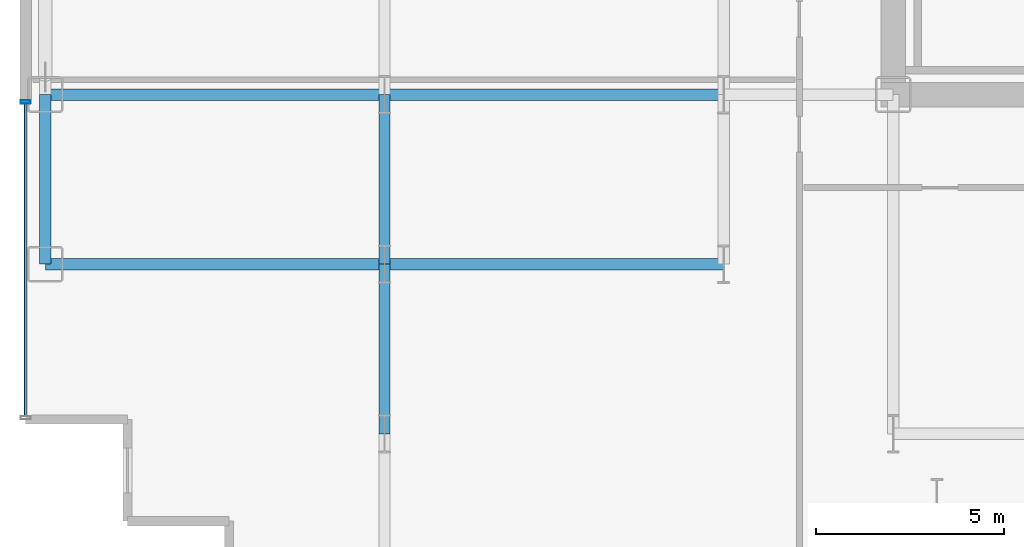
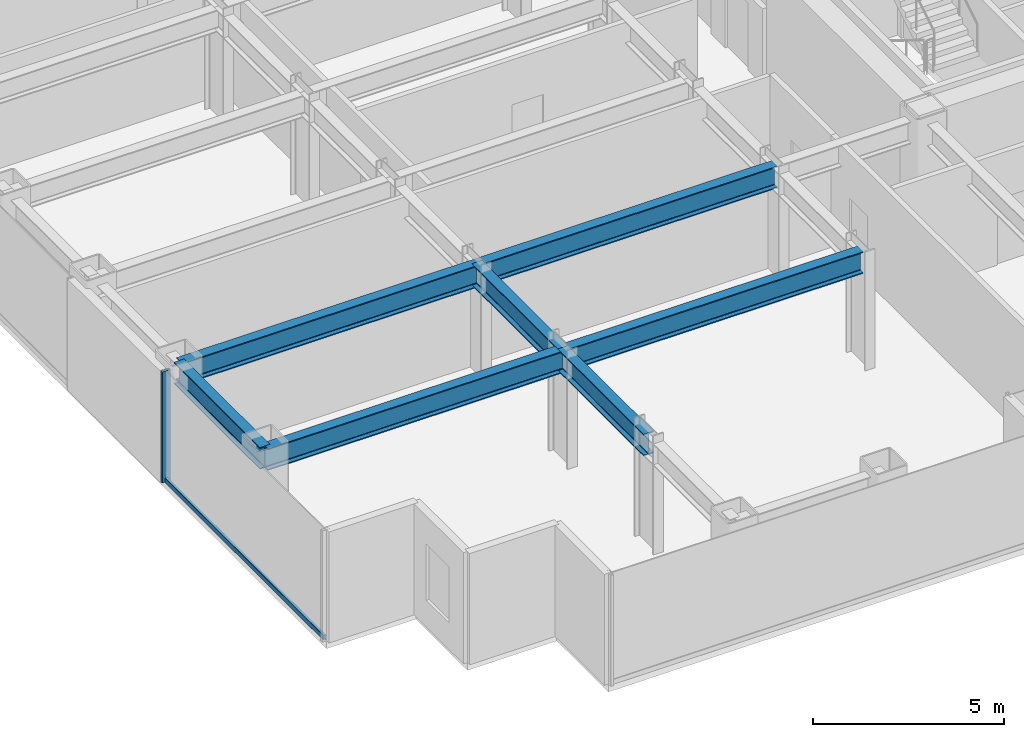
# One storey, part 3 of 29: 7 beams, 2 members, 1 element without a shape of its own.
"""IFC4 building model written with IfcOpenShell, lengths in metres."""

from ifc_helpers import new_model, si_unit, direction, frame, origin, origin_2d, place, context, subcontext, project, spatial, hollow_rectangle, i_section, extrude, source, transform, mapped, material, layer, layer_set, material_profile, profile_set, type_object, element, aggregate, save


model = new_model("IFC4")

# Units and contexts
model_context = context("Model", 3, precision=1e-05, world=origin(), true_north=direction((0.0, 1.0)))
body_context = subcontext(model_context, "Body", "Model", "MODEL_VIEW")
ifc_project = project(units=[si_unit("LENGTHUNIT", "METRE"), si_unit("AREAUNIT", "SQUARE_METRE"), si_unit("VOLUMEUNIT", "CUBIC_METRE"), si_unit("PLANEANGLEUNIT", "RADIAN"), si_unit("MASSUNIT", "GRAM", prefix="KILO")], contexts=[model_context])

# Site, building, storey
site_placement = place(None, origin())
site = spatial("IfcSite", under=ifc_project, at=site_placement, CompositionType="ELEMENT")
building_placement = place(site_placement, origin())
building = spatial("IfcBuilding", under=site, at=building_placement, Name="Nefas-Gora Pilgrimage Tower", CompositionType="ELEMENT")
storey_placement = place(building_placement, frame((0.0, 0.0, 67.199951171875)))
storey = spatial("IfcBuildingStorey", under=building, at=storey_placement, Name="L15", CompositionType="ELEMENT", Elevation=67.199951171875)

# Beams
ifc_material_1 = material(Name="Steel S355", Category="steel")
ifc_material_profile_1 = material_profile(ifc_material_1, i_section(OverallWidth=0.300048828125, OverallDepth=0.699951171875, WebThickness=0.01708984375, FlangeThickness=0.031982421875, FilletRadius=0.027099609375, at=origin_2d()), Name="HEB 700")
ifc_profile_set_1 = profile_set([ifc_material_profile_1], Name="Steel S355")
beam_type_1 = type_object("IfcBeamType", Name="BM-SPN-HEB600", PredefinedType="SPANDREL", material=ifc_profile_set_1)
shared_shape_1 = source(origin(), body_context, "Body", "SweptSolid", [
    extrude(i_section(OverallWidth=0.300048828125, OverallDepth=0.699951171875, WebThickness=0.01708984375, FlangeThickness=0.031982421875, FilletRadius=0.027099609375, at=origin_2d()), origin(), (0.0, 0.0, 1.0), 4.5),
])
beam_placement = place(storey_placement, frame((-33.75, -13.5, 3.199951171875), z_axis=(0.0, 1.0, 0.0), x_axis=(-1.0, 0.0, 0.0)))
element("IfcBeam", 1, at=beam_placement, inside=storey, type_object=beam_type_1, Name="L15 SP-01 beam", PredefinedType="SPANDREL", context=body_context, shape_type="MappedRepresentation", body=[
    mapped(shared_shape_1, transform((0.0, 0.0, 0.0), x_axis=(1.0, 0.0, 0.0), y_axis=(0.0, 1.0, 0.0), z_axis=(0.0, 0.0, 1.0), scale=1.0)),
])
ifc_material_profile_2 = material_profile(ifc_material_1, i_section(OverallWidth=0.300048828125, OverallDepth=0.699951171875, WebThickness=0.01708984375, FlangeThickness=0.031982421875, FilletRadius=0.027099609375, at=origin_2d()), Name="HEB 700")
ifc_profile_set_2 = profile_set([ifc_material_profile_2], Name="Steel S355")
beam_type_2 = type_object("IfcBeamType", Name="BM-GIR-HEB700", PredefinedType="BEAM", material=ifc_profile_set_2)
shared_shape_2 = source(origin(), body_context, "Body", "SweptSolid", [
    extrude(i_section(OverallWidth=0.300048828125, OverallDepth=0.699951171875, WebThickness=0.01708984375, FlangeThickness=0.031982421875, FilletRadius=0.027099609375, at=origin_2d()), origin(), (0.0, 0.0, 1.0), 9.0),
])
for number, where, z_axis, x_axis, name in (
    (2, (-33.75, -13.5, 3.199951171875), (1.0, 0.0, 0.0), (0.0, 1.0, 0.0), "L15 G-02 beam"),
    (3, (-33.75, -9.0, 3.199951171875), (1.0, 0.0, 0.0), (0.0, 1.0, 0.0), "L15 G-02 beam"),
    (4, (-24.75, -13.5, 3.199951171875), (1.0, 0.0, 0.0), (0.0, 1.0, 0.0), "L15 G-02 beam"),
    (5, (-24.75, -9.0, 3.199951171875), (1.0, 0.0, 0.0), (0.0, 1.0, 0.0), "L15 G-02 beam"),
):
    element("IfcBeam", number, at=place(storey_placement, frame(where, z_axis=z_axis, x_axis=x_axis)), inside=storey, type_object=beam_type_2, Name=name, PredefinedType="BEAM", context=body_context, shape_type="MappedRepresentation", body=[
        mapped(shared_shape_2, transform((0.0, 0.0, 0.0), x_axis=(1.0, 0.0, 0.0), y_axis=(0.0, 1.0, 0.0), z_axis=(0.0, 0.0, 1.0), scale=1.0)),
    ])
shared_shape_3 = source(origin(), body_context, "Body", "SweptSolid", [
    extrude(i_section(OverallWidth=0.300048828125, OverallDepth=0.699951171875, WebThickness=0.01708984375, FlangeThickness=0.031982421875, FilletRadius=0.027099609375, at=origin_2d()), origin(), (0.0, 0.0, 1.0), 4.5),
])
for number, where, z_axis, x_axis, name in (
    (6, (-24.75, -18.0, 3.199951171875), (0.0, 1.0, 0.0), (-1.0, 0.0, 0.0), "L15 G-02 beam"),
    (7, (-24.75, -13.5, 3.199951171875), (0.0, 1.0, 0.0), (-1.0, 0.0, 0.0), "L15 G-02 beam"),
):
    element("IfcBeam", number, at=place(storey_placement, frame(where, z_axis=z_axis, x_axis=x_axis)), inside=storey, type_object=beam_type_2, Name=name, PredefinedType="BEAM", context=body_context, shape_type="MappedRepresentation", body=[
        mapped(shared_shape_3, transform((0.0, 0.0, 0.0), x_axis=(1.0, 0.0, 0.0), y_axis=(0.0, 1.0, 0.0), z_axis=(0.0, 0.0, 1.0), scale=1.0)),
    ])

# Curtain wall, members
ifc_material_2 = material(Name="Dark ceramic-fritted solar-control aluminium-glass curtain wall", Category="aluminium")
ifc_layer = layer(ifc_material_2, 0.219970703125)
ifc_layer_set = layer_set([ifc_layer], Name="Dark ceramic-fritted solar-control aluminium-glass curtain wall")
curtain_wall_type = type_object("IfcCurtainWallType", Name="CW-SYS-2", PredefinedType="NOTDEFINED", material=ifc_layer_set)
curtain_wall_placement = place(storey_placement, origin())
curtain_wall = element("IfcCurtainWall", 8, at=curtain_wall_placement, inside=storey, type_object=curtain_wall_type, Name="L15 Unitised Curtain Wall CW2", PredefinedType="NOTDEFINED")
ifc_material_3 = material(Name="Anodised architectural aluminium", Category="aluminium")
ifc_material_profile_3 = material_profile(ifc_material_3, hollow_rectangle(XDim=0.090087890625, YDim=0.260009765625, WallThickness=0.006103515625, InnerFilletRadius=0.006103515625, OuterFilletRadius=0.011962890625, at=origin_2d()), Name="ALU MULLION 90x260")
ifc_profile_set_3 = profile_set([ifc_material_profile_3], Name="Anodised architectural aluminium")
member_type_1 = type_object("IfcMemberType", Name="CWM-MUL-2", PredefinedType="MULLION", material=ifc_profile_set_3)
shared_shape_4 = source(origin(), body_context, "Body", "SweptSolid", [
    extrude(hollow_rectangle(XDim=0.090087890625, YDim=0.260009765625, WallThickness=0.006103515625, InnerFilletRadius=0.006103515625, OuterFilletRadius=0.011962890625, at=origin_2d()), origin(), (0.0, 0.0, 1.0), 3.550048828125),
])
member_1_placement = place(storey_placement, frame((-34.27001953125, -9.195068359375, 0.0), z_axis=(0.0, 0.0, 1.0), x_axis=(0.0, -1.0, 0.0)))
member_1 = element("IfcMember", 9, at=member_1_placement, type_object=member_type_1, Name="CW2 Mullion 1", PredefinedType="MULLION", context=body_context, shape_type="MappedRepresentation", body=[
    mapped(shared_shape_4, transform((0.0, 0.0, 0.0), x_axis=(1.0, 0.0, 0.0), y_axis=(0.0, 1.0, 0.0), z_axis=(0.0, 0.0, 1.0), scale=1.0)),
])
ifc_material_profile_4 = material_profile(ifc_material_3, hollow_rectangle(XDim=0.080078125, YDim=0.159912109375, WallThickness=0.00439453125, InnerFilletRadius=0.00439453125, OuterFilletRadius=0.009033203125, at=origin_2d()), Name="ALU TRANSOM 80x160")
ifc_profile_set_4 = profile_set([ifc_material_profile_4], Name="Anodised architectural aluminium")
member_type_2 = type_object("IfcMemberType", Name="CWM-TRN-2", PredefinedType="USERDEFINED", material=ifc_profile_set_4)
shared_shape_5 = source(origin(), body_context, "Body", "SweptSolid", [
    extrude(hollow_rectangle(XDim=0.080078125, YDim=0.159912109375, WallThickness=0.00439453125, InnerFilletRadius=0.00439453125, OuterFilletRadius=0.009033203125, at=origin_2d()), origin(), (0.0, 0.0, 1.0), 8.2900390625),
])
member_2_placement = place(storey_placement, frame((-34.27001953125, -9.239990234375, 0.050048828125), z_axis=(0.0, -1.0, 0.0), x_axis=(1.0, 0.0, 0.0)))
member_2 = element("IfcMember", 10, at=member_2_placement, type_object=member_type_2, Name="CW2 Spandrel Transom", ObjectType="TRANSOM", PredefinedType="USERDEFINED", context=body_context, shape_type="MappedRepresentation", body=[
    mapped(shared_shape_5, transform((0.0, 0.0, 0.0), x_axis=(1.0, 0.0, 0.0), y_axis=(0.0, 1.0, 0.0), z_axis=(0.0, 0.0, 1.0), scale=1.0)),
])
aggregate(curtain_wall, [member_1, member_2])

save(model, "model.ifc")
